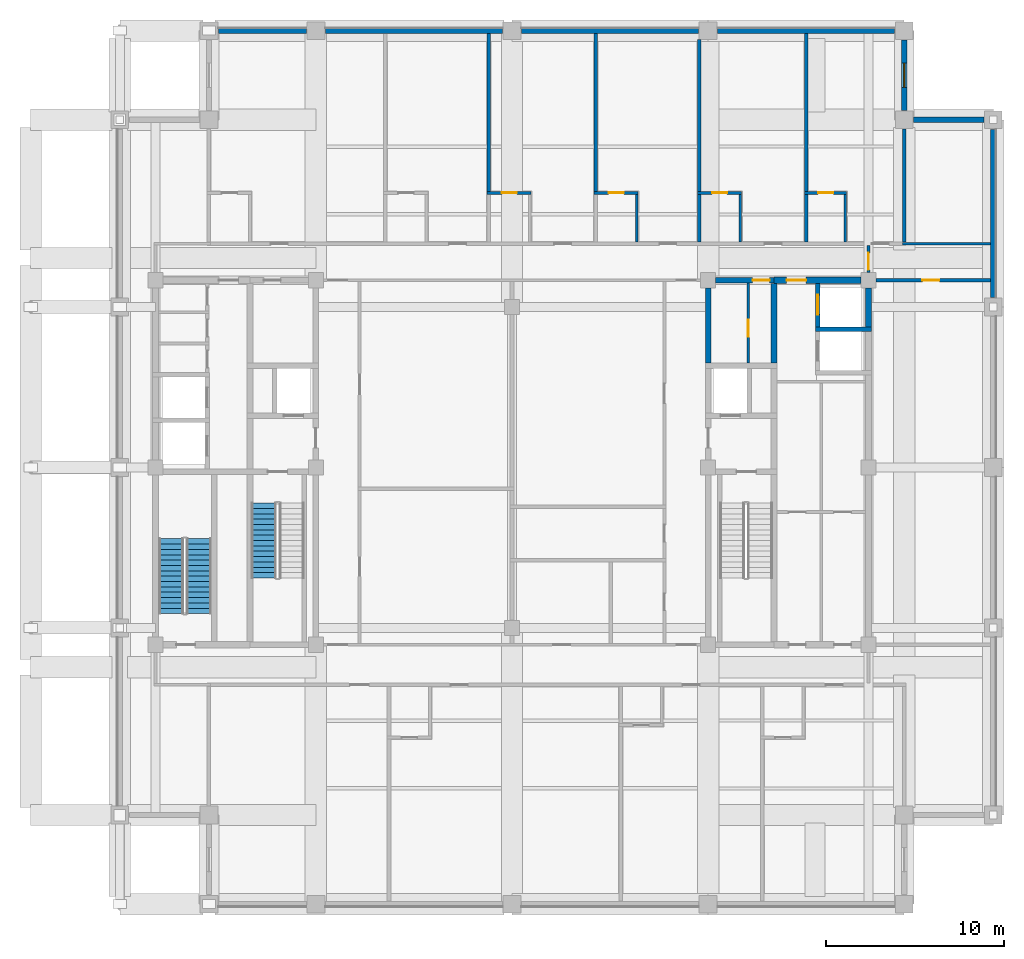
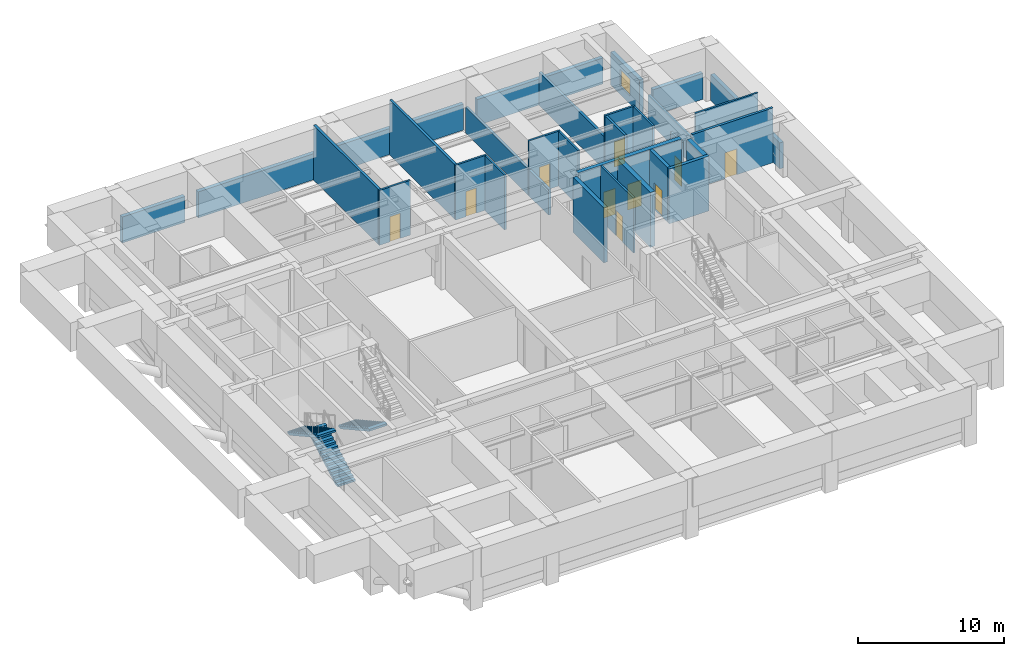
# One storey, part 6 of 11: 32 walls, 10 doors, 3 stair flights, 1 window, 11 openings, 2 elements without a shape of their own.
"""IFC4 building model written with IfcOpenShell, lengths in metres."""

import ifcopenshell
import ifcopenshell.guid

model = None  # the IFC model being written
_history = None  # IfcOwnerHistory: only IFC2X3 demands one
_inside = {}  # id of a spatial element -> (the spatial element, [elements in it])
_under = {}  # id of a project, library or spatial element -> (it, [spatial elements below it])
_declared = {}  # id of a project -> (the project, [libraries it declares])
_typed = {}  # id of a type object -> (the type object, [elements of that type])
_made_of = {}  # id of a material, layer set ... -> (it, [elements and type objects made of it])


def new_model(schema):
    """Start an empty IFC model of exactly this schema.

    Asked for "IFC4X3", IfcOpenShell would pick the latest addendum, in which some entities
    have other attributes; the version numbers below select the first issue.
    IFC2X3 requires an IfcOwnerHistory on every rooted entity: one is made here for all.
    """
    global model, _history
    if schema == "IFC4X3":
        model = ifcopenshell.file(schema_version=(4, 3, 0, 0))
    else:
        model = ifcopenshell.file(schema=schema)
    _inside.clear()
    _under.clear()
    _declared.clear()
    _typed.clear()
    _made_of.clear()
    _history = None
    if model.schema == "IFC2X3":
        org = make("IfcOrganization", Name="unknown")
        user = make(
            "IfcPersonAndOrganization",
            ThePerson=make("IfcPerson", FamilyName="unknown"),
            TheOrganization=org,
        )
        app = make(
            "IfcApplication",
            ApplicationDeveloper=org,
            Version="unknown",
            ApplicationFullName="unknown",
            ApplicationIdentifier="unknown",
        )
        _history = make(
            "IfcOwnerHistory",
            OwningUser=user,
            OwningApplication=app,
            ChangeAction="ADDED",
            CreationDate=0,
        )
    return model


def make(cls, **values):
    """One entity of the class cls with the attributes given. An attribute that is None is left unset."""
    return model.create_entity(
        cls, **{name: value for name, value in values.items() if value is not None}
    )


def rooted(cls, **values):
    """An entity with a GlobalId (a new one), such as an element, a storey or a relation."""
    return make(cls, GlobalId=ifcopenshell.guid.new(), OwnerHistory=_history, **values)


def si_unit(unit_type, name, prefix=None):
    """IfcSIUnit, for example si_unit("LENGTHUNIT", "METRE", prefix="MILLI")."""
    return make("IfcSIUnit", UnitType=unit_type, Prefix=prefix, Name=name)


def assignment(units):
    """IfcUnitAssignment: the units of a project."""
    return None if units is None else make("IfcUnitAssignment", Units=units)


def point(xyz):
    """IfcCartesianPoint."""
    return None if xyz is None else make("IfcCartesianPoint", Coordinates=xyz)


def direction(xyz):
    """IfcDirection."""
    return None if xyz is None else make("IfcDirection", DirectionRatios=xyz)


def frame(location, z_axis=None, x_axis=None):
    """IfcAxis2Placement3D, a coordinate frame: its origin and axes. An axis left out is left unset."""
    return make(
        "IfcAxis2Placement3D",
        Location=point(location),
        Axis=direction(z_axis),
        RefDirection=direction(x_axis),
    )


def frame_2d(location, x_axis=None):
    """IfcAxis2Placement2D, a coordinate frame in the plane: its origin and x axis."""
    return make(
        "IfcAxis2Placement2D", Location=point(location), RefDirection=direction(x_axis)
    )


def origin():
    """The frame at (0, 0, 0) with its axes left unset."""
    return frame((0.0, 0.0, 0.0))


def place(relative_to, where):
    """IfcLocalPlacement: puts the frame where relative to a parent placement (None: the world)."""
    return make(
        "IfcLocalPlacement", PlacementRelTo=relative_to, RelativePlacement=where
    )


def context(
    kind, dimensions, precision=None, world=None, true_north=None, identifier=None
):
    """IfcGeometricRepresentationContext, for example the 3D "Model" context."""
    return make(
        "IfcGeometricRepresentationContext",
        ContextIdentifier=identifier,
        ContextType=kind,
        CoordinateSpaceDimension=dimensions,
        Precision=precision,
        WorldCoordinateSystem=world,
        TrueNorth=true_north,
    )


def subcontext(parent, identifier, kind, view, scale=None):
    """IfcGeometricRepresentationSubContext, for example "Body" below "Model"."""
    return make(
        "IfcGeometricRepresentationSubContext",
        ContextIdentifier=identifier,
        ContextType=kind,
        ParentContext=parent,
        TargetScale=scale,
        TargetView=view,
    )


def project(units=None, contexts=None):
    """IfcProject with its units and contexts."""
    return rooted(
        "IfcProject",
        Name="project",
        RepresentationContexts=contexts,
        UnitsInContext=assignment(units),
    )


def spatial(cls, under=None, at=None, **own):
    """A site, building, storey or space (cls), placed at a placement, below another one or the project."""
    s = rooted(cls, ObjectPlacement=at, **own)
    if under is not None:
        _under.setdefault(under.id(), (under, []))[1].append(s)
    return s


def polyline(points):
    """IfcPolyline through the points."""
    return make("IfcPolyline", Points=[point(p) for p in points])


def profile(cls, at=None, kind="AREA", **sizes):
    """A parametric profile (cls). Its sizes go by their IFC names, for example OverallWidth=200.0."""
    return make(cls, ProfileType=kind, Position=at, **sizes)


def rectangle(**sizes):
    """IfcRectangleProfileDef."""
    return profile("IfcRectangleProfileDef", **sizes)


def outline(outer, holes=None, kind="AREA"):
    """IfcArbitraryClosedProfileDef: a profile drawn as a closed curve; with holes, ...WithVoids."""
    if holes is None:
        return make("IfcArbitraryClosedProfileDef", ProfileType=kind, OuterCurve=outer)
    return make(
        "IfcArbitraryProfileDefWithVoids",
        ProfileType=kind,
        OuterCurve=outer,
        InnerCurves=holes,
    )


def extrude(swept, where, along, depth):
    """IfcExtrudedAreaSolid: the profile swept, set in the frame where, extruded along a direction by depth."""
    return make(
        "IfcExtrudedAreaSolid",
        SweptArea=swept,
        Position=where,
        ExtrudedDirection=direction(along),
        Depth=depth,
    )


def shape(context_of_items, identifier, shape_type, items):
    """IfcShapeRepresentation: the items that make up one representation, for example the "Body"."""
    return make(
        "IfcShapeRepresentation",
        ContextOfItems=context_of_items,
        RepresentationIdentifier=identifier,
        RepresentationType=shape_type,
        Items=items,
    )


def material(Name=None, Category=None):
    """IfcMaterial."""
    return make("IfcMaterial", Name=Name, Category=Category)


def layer(
    of_material, thickness, ventilated=None, Name=None, Category=None, Priority=None
):
    """IfcMaterialLayer: one layer of a wall or slab, of a material (None: an air gap)."""
    return make(
        "IfcMaterialLayer",
        Material=of_material,
        LayerThickness=thickness,
        IsVentilated=ventilated,
        Name=Name,
        Category=Category,
        Priority=Priority,
    )


def layer_set(layers, Name=None):
    """IfcMaterialLayerSet."""
    return make("IfcMaterialLayerSet", MaterialLayers=layers, LayerSetName=Name)


def made_of(thing, what):
    """Note that an element or type object is made of a material, layer set ...; save() writes the relation."""
    if what is not None:
        _made_of.setdefault(what.id(), (what, []))[1].append(thing)
    return thing


def type_object(cls, material=None, **own):
    """A type object (cls), such as IfcWallType, which elements share."""
    return made_of(rooted(cls, **own), material)


def element(
    cls,
    number,
    at=None,
    inside=None,
    cuts=None,
    type_object=None,
    material=None,
    context=None,
    identifier="Body",
    shape_type=None,
    held_by="IfcProductDefinitionShape",
    body=None,
    shapes=None,
    **own,
):
    """One element of the class cls, such as IfcWall. Its Tag is "e" and its number.

    at: its placement. inside: the storey or other place that contains it. cuts: it is an
    opening in that element (IfcRelVoidsElement). A single representation is given by context,
    identifier, shape_type and body (its items); several are given by shapes. held_by: the class
    of the entity that holds the representations. save() writes the other relations.
    """
    e = rooted(cls, Tag="e%d" % number, ObjectPlacement=at, **own)
    if body is not None:
        shapes = [shape(context, identifier, shape_type, body)]
    if shapes is not None:
        e.Representation = make(held_by, Representations=shapes)
    if inside is not None:
        _inside.setdefault(inside.id(), (inside, []))[1].append(e)
    if cuts is not None:
        rooted(
            "IfcRelVoidsElement", RelatingBuildingElement=cuts, RelatedOpeningElement=e
        )
    if type_object is not None:
        _typed.setdefault(type_object.id(), (type_object, []))[1].append(e)
    return made_of(e, material)


def fill(opening, filler):
    """IfcRelFillsElement: the door or window that sits in an opening."""
    return rooted(
        "IfcRelFillsElement",
        RelatingOpeningElement=opening,
        RelatedBuildingElement=filler,
    )


def aggregate(whole, parts):
    """IfcRelAggregates: a whole, such as a stair, and the parts it consists of."""
    return rooted("IfcRelAggregates", RelatingObject=whole, RelatedObjects=parts)


def save(model, path):
    """Write the relations noted so far, then the file.

    IfcRelAggregates (storeys below a building ...), IfcRelContainedInSpatialStructure (elements
    in a storey), IfcRelDefinesByType, IfcRelAssociatesMaterial and IfcRelDeclares: one each for
    every whole, place, type object, material and project.
    """
    for whole, parts in _under.values():
        aggregate(whole, parts)
    for where, things in _inside.values():
        rooted(
            "IfcRelContainedInSpatialStructure",
            RelatedElements=things,
            RelatingStructure=where,
        )
    for kind, things in _typed.values():
        rooted("IfcRelDefinesByType", RelatedObjects=things, RelatingType=kind)
    for what, things in _made_of.values():
        rooted("IfcRelAssociatesMaterial", RelatedObjects=things, RelatingMaterial=what)
    for by, libraries in _declared.values():
        rooted("IfcRelDeclares", RelatingContext=by, RelatedDefinitions=libraries)
    model.write(path)


model = new_model("IFC4")

# Units and contexts
model_context = context("Model", 3, precision=1e-05, world=origin(), true_north=direction((0.0, 1.0)))
body_context = subcontext(model_context, "Body", "Model", "MODEL_VIEW")
ifc_project = project(units=[si_unit("LENGTHUNIT", "METRE"), si_unit("AREAUNIT", "SQUARE_METRE"), si_unit("VOLUMEUNIT", "CUBIC_METRE"), si_unit("PLANEANGLEUNIT", "RADIAN"), si_unit("MASSUNIT", "GRAM", prefix="KILO")], contexts=[model_context])

# Site, building, storey
site_placement = place(None, origin())
site = spatial("IfcSite", under=ifc_project, at=site_placement, CompositionType="ELEMENT")
building_placement = place(site_placement, origin())
building = spatial("IfcBuilding", under=site, at=building_placement, Name="Zulmaris Gate Convention Tower", CompositionType="ELEMENT")
storey_placement = place(building_placement, frame((0.0, 0.0, 186.4599609375)))
storey = spatial("IfcBuildingStorey", under=building, at=storey_placement, Name="L48", CompositionType="ELEMENT", Elevation=186.4599609375)

# Wall
ifc_material_1 = material(Name="Concrete C50/60", Category="concrete")
ifc_layer_1 = layer(ifc_material_1, 0.25, Name="Concrete C50/60")
ifc_layer_set_1 = layer_set([ifc_layer_1], Name="Concrete C50/60")
wall_type_1 = type_object("IfcWallType", Name="CORE-250", PredefinedType="SOLIDWALL", material=ifc_layer_set_1)
wall_1_placement = place(storey_placement, frame((17.02490234375, 7.75, 0.0), z_axis=(0.0, 0.0, 1.0), x_axis=(1.0, 0.0, 0.0)))
element("IfcWall", 1, at=wall_1_placement, inside=storey, type_object=wall_type_1, Name="WL-L48-014", PredefinedType="SOLIDWALL", context=body_context, shape_type="SweptSolid", body=[
    extrude(rectangle(XDim=3.150146484375, YDim=0.25, at=frame_2d((1.5751953125, 0.0))), origin(), (0.0, 0.0, 1.0), 4.574951171875),
])

# Wall, opening, door
wall_2_placement = place(storey_placement, frame((17.14990234375, 7.876953125, 0.0), z_axis=(0.0, 0.0, 1.0), x_axis=(0.0, 1.0, 0.0)))
wall_2 = element("IfcWall", 2, at=wall_2_placement, inside=storey, type_object=wall_type_1, Name="WL-L48-072", PredefinedType="SOLIDWALL", context=body_context, shape_type="SweptSolid", body=[
    extrude(rectangle(XDim=2.446044921875, YDim=0.25, at=frame_2d((1.22314453125, 0.0))), origin(), (0.0, 0.0, 1.0), 4.574951171875),
])
opening_1_placement = place(wall_2_placement, frame((0.697998046875, 0.0, 0.0)))
opening_1 = element("IfcOpeningElement", 3, at=opening_1_placement, cuts=wall_2, Name="Opening D-06", PredefinedType="OPENING", context=body_context, shape_type="SweptSolid", body=[
    extrude(rectangle(XDim=1.10009765625, YDim=2.199951171875, at=frame_2d((0.550048828125, 1.10009765625))), frame((0.0, 0.135009765625, 0.0), z_axis=(0.0, -1.0, 0.0), x_axis=(1.0, 0.0, 0.0)), (0.0, 0.0, 1.0), 0.27001953125),
])
ifc_material_2 = material(Name="Brushed Stainless Steel", Category="steel")
door_type_1 = type_object("IfcDoorType", Name="LD-1100", OperationType="NOTDEFINED", PredefinedType="DOOR", material=ifc_material_2)
door_1_placement = place(opening_1_placement, origin())
door_1 = element("IfcDoor", 4, at=door_1_placement, inside=storey, type_object=door_type_1, Name="L48 Lift Landing Door HP-02 18", OperationType="SLIDING_TO_RIGHT", OverallHeight=2.199951171875, OverallWidth=1.10009765625, PredefinedType="DOOR", context=body_context, shape_type="SweptSolid", body=[
    extrude(rectangle(XDim=1.10009765625, YDim=2.199951171875, at=frame_2d((0.550048828125, 1.10009765625))), frame((0.0, 0.02490234375, 0.0), z_axis=(0.0, -1.0, 0.0), x_axis=(1.0, 0.0, 0.0)), (0.0, 0.0, 1.0), 0.050048828125),
])
fill(opening_1, door_1)

ifc_layer_2 = layer(ifc_material_1, 0.300048828125, Name="Concrete C50/60")
ifc_layer_set_2 = layer_set([ifc_layer_2], Name="Concrete C50/60")
wall_type_2 = type_object("IfcWallType", Name="CORE-300", PredefinedType="SHEAR", material=ifc_layer_set_2)
wall_3_placement = place(storey_placement, frame((11.428955078125, 10.5, 0.0), z_axis=(0.0, 0.0, 1.0), x_axis=(1.0, 0.0, 0.0)))
wall_3 = element("IfcWall", 5, at=wall_3_placement, inside=storey, type_object=wall_type_2, Name="WL-L48-017", PredefinedType="SHEAR", context=body_context, shape_type="SweptSolid", body=[
    extrude(rectangle(XDim=3.27099609375, YDim=0.300048828125, at=frame_2d((1.635498046875, 0.0))), origin(), (0.0, 0.0, 1.0), 4.574951171875),
])
opening_2_placement = place(wall_3_placement, frame((2.075927734375, 0.0, 0.0)))
opening_2 = element("IfcOpeningElement", 6, at=opening_2_placement, cuts=wall_3, Name="Opening D-11", PredefinedType="OPENING", context=body_context, shape_type="SweptSolid", body=[
    extrude(rectangle(XDim=0.949951171875, YDim=2.14990234375, at=frame_2d((0.47509765625, 1.074951171875))), frame((0.0, 0.16015625, 0.0), z_axis=(0.0, -1.0, 0.0), x_axis=(1.0, 0.0, 0.0)), (0.0, 0.0, 1.0), 0.320068359375),
])
ifc_material_3 = material(Name="Fire-Rated Timber", Category="wood")
door_type_2 = type_object("IfcDoorType", Name="DR-950-FD", OperationType="NOTDEFINED", PredefinedType="DOOR", material=ifc_material_3)
door_2_placement = place(opening_2_placement, origin())
door_2 = element("IfcDoor", 7, at=door_2_placement, inside=storey, type_object=door_type_2, Name="L48 Core Linen Closet Door 08", OperationType="SINGLE_SWING_RIGHT", OverallHeight=2.14990234375, OverallWidth=0.949951171875, PredefinedType="DOOR", context=body_context, shape_type="SweptSolid", body=[
    extrude(rectangle(XDim=0.949951171875, YDim=2.14990234375, at=frame_2d((0.47509765625, 1.074951171875))), frame((0.0, 0.02490234375, 0.0), z_axis=(0.0, -1.0, 0.0), x_axis=(1.0, 0.0, 0.0)), (0.0, 0.0, 1.0), 0.050048828125),
])
fill(opening_2, door_2)

# Wall
wall_4_placement = place(storey_placement, frame((11.0, 5.85205078125, 0.0), z_axis=(0.0, 0.0, 1.0), x_axis=(0.0, 1.0, 0.0)))
element("IfcWall", 8, at=wall_4_placement, inside=storey, type_object=wall_type_2, Name="WL-L48-064", PredefinedType="SHEAR", context=body_context, shape_type="SweptSolid", body=[
    extrude(rectangle(XDim=4.218994140625, YDim=0.300048828125, at=frame_2d((2.109375, 0.0))), origin(), (0.0, 0.0, 1.0), 4.574951171875),
])

# Wall, opening, door
ifc_material_4 = material(Name="Concrete C55/67", Category="concrete")
ifc_layer_3 = layer(ifc_material_4, 0.35009765625, Name="Concrete C55/67")
ifc_layer_set_3 = layer_set([ifc_layer_3], Name="Concrete C55/67")
wall_type_3 = type_object("IfcWallType", Name="CORE-350", PredefinedType="SHEAR", material=ifc_layer_set_3)
wall_5_placement = place(storey_placement, frame((14.699951171875, 10.5, 0.0), z_axis=(0.0, 0.0, 1.0), x_axis=(1.0, 0.0, 0.0)))
wall_5 = element("IfcWall", 9, at=wall_5_placement, inside=storey, type_object=wall_type_3, Name="WL-L48-018", PredefinedType="SHEAR", context=body_context, shape_type="SweptSolid", body=[
    extrude(rectangle(XDim=4.87109375, YDim=0.35009765625, at=frame_2d((2.435546875, 0.0))), origin(), (0.0, 0.0, 1.0), 4.574951171875),
])
opening_3_placement = place(wall_5_placement, frame((0.699951171875, 0.0, 0.0)))
opening_3 = element("IfcOpeningElement", 10, at=opening_3_placement, cuts=wall_5, Name="Opening D-08", PredefinedType="OPENING", context=body_context, shape_type="SweptSolid", body=[
    extrude(rectangle(XDim=1.10009765625, YDim=2.14990234375, at=frame_2d((0.550048828125, 1.074951171875))), frame((0.0, 0.18505859375, 0.0), z_axis=(0.0, -1.0, 0.0), x_axis=(1.0, 0.0, 0.0)), (0.0, 0.0, 1.0), 0.3701171875),
])
ifc_material_5 = material(Name="Fire-Rated Steel", Category="steel")
door_type_3 = type_object("IfcDoorType", Name="DR-1100-FD", OperationType="NOTDEFINED", PredefinedType="DOOR", material=ifc_material_5)
door_3_placement = place(opening_3_placement, origin())
door_3 = element("IfcDoor", 11, at=door_3_placement, inside=storey, type_object=door_type_3, Name="L48 High-Rise East Lift Lobby Door 19", OperationType="SINGLE_SWING_LEFT", OverallHeight=2.14990234375, OverallWidth=1.10009765625, PredefinedType="DOOR", context=body_context, shape_type="SweptSolid", body=[
    extrude(rectangle(XDim=1.10009765625, YDim=2.14990234375, at=frame_2d((0.550048828125, 1.074951171875))), frame((0.0, 0.02490234375, 0.0), z_axis=(0.0, -1.0, 0.0), x_axis=(1.0, 0.0, 0.0)), (0.0, 0.0, 1.0), 0.050048828125),
])
fill(opening_3, door_3)

# Walls
wall_6_placement = place(storey_placement, frame((14.699951171875, 5.85205078125, 0.0), z_axis=(0.0, 0.0, 1.0), x_axis=(0.0, 1.0, 0.0)))
element("IfcWall", 12, at=wall_6_placement, inside=storey, type_object=wall_type_3, Name="WL-L48-070", PredefinedType="SHEAR", context=body_context, shape_type="SweptSolid", body=[
    extrude(rectangle(XDim=4.470947265625, YDim=0.35009765625, at=frame_2d((2.2353515625, 0.0))), origin(), (0.0, 0.0, 1.0), 4.574951171875),
])
wall_7_placement = place(storey_placement, frame((20.0, 7.876953125, 0.0), z_axis=(0.0, 0.0, 1.0), x_axis=(0.0, 1.0, 0.0)))
element("IfcWall", 13, at=wall_7_placement, inside=storey, type_object=wall_type_3, Name="WL-L48-075", PredefinedType="SHEAR", context=body_context, shape_type="SweptSolid", body=[
    extrude(rectangle(XDim=2.194091796875, YDim=0.35009765625, at=frame_2d((1.09716796875, 0.0))), origin(), (0.0, 0.0, 1.0), 4.574951171875),
])
ifc_material_6 = material(Name="Gypsum Metal Stud Partition")
ifc_layer_4 = layer(ifc_material_6, 0.14990234375, Name="Gypsum Metal Stud Partition")
ifc_layer_set_4 = layer_set([ifc_layer_4], Name="Gypsum Metal Stud Partition")
wall_type_4 = type_object("IfcWallType", Name="PART-150", PredefinedType="PARTITIONING", material=ifc_layer_set_4)
wall_8_placement = place(storey_placement, frame((21.89990234375, 12.550048828125, 0.0), z_axis=(0.0, 0.0, 1.0), x_axis=(1.0, 0.0, 0.0)))
element("IfcWall", 14, at=wall_8_placement, inside=storey, type_object=wall_type_4, Name="WL-L48-037", PredefinedType="PARTITIONING", context=body_context, shape_type="SweptSolid", body=[
    extrude(rectangle(XDim=4.93505859375, YDim=0.14990234375, at=frame_2d((2.467529296875, 0.0))), origin(), (0.0, 0.0, 1.0), 4.574951171875),
])

# Wall, opening, door
wall_9_placement = place(storey_placement, frame((-1.39990234375, 15.39990234375, 0.0), z_axis=(0.0, 0.0, 1.0), x_axis=(1.0, 0.0, 0.0)))
wall_9 = element("IfcWall", 15, at=wall_9_placement, inside=storey, type_object=wall_type_4, Name="WL-L48-040", PredefinedType="PARTITIONING", context=body_context, shape_type="SweptSolid", body=[
    extrude(rectangle(XDim=2.474853515625, YDim=0.14990234375, at=frame_2d((1.2373046875, 0.0))), origin(), (0.0, 0.0, 1.0), 4.574951171875),
])
opening_4_placement = place(wall_9_placement, frame((0.824951171875, 0.0, 0.0)))
opening_4 = element("IfcOpeningElement", 16, at=opening_4_placement, cuts=wall_9, Name="Opening D-17", PredefinedType="OPENING", context=body_context, shape_type="SweptSolid", body=[
    extrude(rectangle(XDim=0.85009765625, YDim=2.10009765625, at=frame_2d((0.425048828125, 1.050048828125))), frame((0.0, 0.0849609375, 0.0), z_axis=(0.0, -1.0, 0.0), x_axis=(1.0, 0.0, 0.0)), (0.0, 0.0, 1.0), 0.169921875),
])
ifc_material_7 = material(Name="Moisture-Resistant Hardwood Timber", Category="wood")
door_type_4 = type_object("IfcDoorType", Name="DR-850", OperationType="NOTDEFINED", PredefinedType="DOOR", material=ifc_material_7)
door_4_placement = place(opening_4_placement, origin())
door_4 = element("IfcDoor", 17, at=door_4_placement, inside=storey, type_object=door_type_4, Name="L48 En-Suite Door 33", OperationType="SINGLE_SWING_LEFT", OverallHeight=2.10009765625, OverallWidth=0.85009765625, PredefinedType="DOOR", context=body_context, shape_type="SweptSolid", body=[
    extrude(rectangle(XDim=0.85009765625, YDim=2.10009765625, at=frame_2d((0.425048828125, 1.050048828125))), frame((0.0, 0.02490234375, 0.0), z_axis=(0.0, -1.0, 0.0), x_axis=(1.0, 0.0, 0.0)), (0.0, 0.0, 1.0), 0.050048828125),
])
fill(opening_4, door_4)

wall_10_placement = place(storey_placement, frame((4.60009765625, 15.39990234375, 0.0), z_axis=(0.0, 0.0, 1.0), x_axis=(1.0, 0.0, 0.0)))
wall_10 = element("IfcWall", 18, at=wall_10_placement, inside=storey, type_object=wall_type_4, Name="WL-L48-041", PredefinedType="PARTITIONING", context=body_context, shape_type="SweptSolid", body=[
    extrude(rectangle(XDim=2.474853515625, YDim=0.14990234375, at=frame_2d((1.2373046875, 0.0))), origin(), (0.0, 0.0, 1.0), 4.574951171875),
])
opening_5_placement = place(wall_10_placement, frame((0.824951171875, 0.0, 0.0)))
opening_5 = element("IfcOpeningElement", 19, at=opening_5_placement, cuts=wall_10, Name="Opening D-17", PredefinedType="OPENING", context=body_context, shape_type="SweptSolid", body=[
    extrude(rectangle(XDim=0.85009765625, YDim=2.10009765625, at=frame_2d((0.425048828125, 1.050048828125))), frame((0.0, 0.0849609375, 0.0), z_axis=(0.0, -1.0, 0.0), x_axis=(1.0, 0.0, 0.0)), (0.0, 0.0, 1.0), 0.169921875),
])
door_5_placement = place(opening_5_placement, origin())
door_5 = element("IfcDoor", 20, at=door_5_placement, inside=storey, type_object=door_type_4, Name="L48 En-Suite Door 35", OperationType="SINGLE_SWING_LEFT", OverallHeight=2.10009765625, OverallWidth=0.85009765625, PredefinedType="DOOR", context=body_context, shape_type="SweptSolid", body=[
    extrude(rectangle(XDim=0.85009765625, YDim=2.10009765625, at=frame_2d((0.425048828125, 1.050048828125))), frame((0.0, 0.02490234375, 0.0), z_axis=(0.0, -1.0, 0.0), x_axis=(1.0, 0.0, 0.0)), (0.0, 0.0, 1.0), 0.050048828125),
])
fill(opening_5, door_5)

wall_11_placement = place(storey_placement, frame((10.39990234375, 15.39990234375, 0.0), z_axis=(0.0, 0.0, 1.0), x_axis=(1.0, 0.0, 0.0)))
wall_11 = element("IfcWall", 21, at=wall_11_placement, inside=storey, type_object=wall_type_4, Name="WL-L48-042", PredefinedType="PARTITIONING", context=body_context, shape_type="SweptSolid", body=[
    extrude(rectangle(XDim=2.47509765625, YDim=0.14990234375, at=frame_2d((1.237548828125, 0.0))), origin(), (0.0, 0.0, 1.0), 4.574951171875),
])
opening_6_placement = place(wall_11_placement, frame((0.824951171875, 0.0, 0.0)))
opening_6 = element("IfcOpeningElement", 22, at=opening_6_placement, cuts=wall_11, Name="Opening D-17", PredefinedType="OPENING", context=body_context, shape_type="SweptSolid", body=[
    extrude(rectangle(XDim=0.85009765625, YDim=2.10009765625, at=frame_2d((0.425048828125, 1.050048828125))), frame((0.0, 0.0849609375, 0.0), z_axis=(0.0, -1.0, 0.0), x_axis=(1.0, 0.0, 0.0)), (0.0, 0.0, 1.0), 0.169921875),
])
door_6_placement = place(opening_6_placement, origin())
door_6 = element("IfcDoor", 23, at=door_6_placement, inside=storey, type_object=door_type_4, Name="L48 En-Suite Door 37", OperationType="SINGLE_SWING_LEFT", OverallHeight=2.10009765625, OverallWidth=0.85009765625, PredefinedType="DOOR", context=body_context, shape_type="SweptSolid", body=[
    extrude(rectangle(XDim=0.85009765625, YDim=2.10009765625, at=frame_2d((0.425048828125, 1.050048828125))), frame((0.0, 0.02490234375, 0.0), z_axis=(0.0, -1.0, 0.0), x_axis=(1.0, 0.0, 0.0)), (0.0, 0.0, 1.0), 0.050048828125),
])
fill(opening_6, door_6)

wall_12_placement = place(storey_placement, frame((16.39990234375, 15.39990234375, 0.0), z_axis=(0.0, 0.0, 1.0), x_axis=(1.0, 0.0, 0.0)))
wall_12 = element("IfcWall", 24, at=wall_12_placement, inside=storey, type_object=wall_type_4, Name="WL-L48-043", PredefinedType="PARTITIONING", context=body_context, shape_type="SweptSolid", body=[
    extrude(rectangle(XDim=2.375, YDim=0.14990234375, at=frame_2d((1.1875, 0.0))), origin(), (0.0, 0.0, 1.0), 4.574951171875),
])
opening_7_placement = place(wall_12_placement, frame((0.77490234375, 0.0, 0.0)))
opening_7 = element("IfcOpeningElement", 25, at=opening_7_placement, cuts=wall_12, Name="Opening D-17", PredefinedType="OPENING", context=body_context, shape_type="SweptSolid", body=[
    extrude(rectangle(XDim=0.85009765625, YDim=2.10009765625, at=frame_2d((0.425048828125, 1.050048828125))), frame((0.0, 0.0849609375, 0.0), z_axis=(0.0, -1.0, 0.0), x_axis=(1.0, 0.0, 0.0)), (0.0, 0.0, 1.0), 0.169921875),
])
door_7_placement = place(opening_7_placement, origin())
door_7 = element("IfcDoor", 26, at=door_7_placement, inside=storey, type_object=door_type_4, Name="L48 En-Suite Door 39", OperationType="SINGLE_SWING_LEFT", OverallHeight=2.10009765625, OverallWidth=0.85009765625, PredefinedType="DOOR", context=body_context, shape_type="SweptSolid", body=[
    extrude(rectangle(XDim=0.85009765625, YDim=2.10009765625, at=frame_2d((0.425048828125, 1.050048828125))), frame((0.0, 0.02490234375, 0.0), z_axis=(0.0, -1.0, 0.0), x_axis=(1.0, 0.0, 0.0)), (0.0, 0.0, 1.0), 0.050048828125),
])
fill(opening_7, door_7)

# Walls
for number, where, z_axis, x_axis, name in (
    (27, (7.0, 12.653076171875, 0.0), (0.0, 0.0, 1.0), (0.0, 1.0, 0.0), "WL-L48-105"),
    (28, (12.800048828125, 12.653076171875, 0.0), (0.0, 0.0, 1.0), (0.0, 1.0, 0.0), "WL-L48-112"),
):
    element("IfcWall", number, at=place(storey_placement, frame(where, z_axis=z_axis, x_axis=x_axis)), inside=storey, type_object=wall_type_4, Name=name, PredefinedType="PARTITIONING", context=body_context, shape_type="SweptSolid", body=[
        extrude(rectangle(XDim=2.6689453125, YDim=0.14990234375, at=frame_2d((1.33447265625, 0.0))), origin(), (0.0, 0.0, 1.0), 4.574951171875),
    ])

# Wall, opening, door
wall_13_placement = place(storey_placement, frame((13.25, 5.85302734375, 0.0), z_axis=(0.0, 0.0, 1.0), x_axis=(0.0, 1.0, 0.0)))
wall_13 = element("IfcWall", 29, at=wall_13_placement, inside=storey, type_object=wall_type_4, Name="WL-L48-113", PredefinedType="PARTITIONING", context=body_context, shape_type="SweptSolid", body=[
    extrude(rectangle(XDim=4.493896484375, YDim=0.14990234375, at=frame_2d((2.2470703125, 0.0))), origin(), (0.0, 0.0, 1.0), 4.574951171875),
])
opening_8_placement = place(wall_13_placement, frame((1.471923828125, 0.0, 0.0)))
opening_8 = element("IfcOpeningElement", 30, at=opening_8_placement, cuts=wall_13, Name="Opening D-11", PredefinedType="OPENING", context=body_context, shape_type="SweptSolid", body=[
    extrude(rectangle(XDim=0.949951171875, YDim=2.14990234375, at=frame_2d((0.47509765625, 1.074951171875))), frame((0.0, 0.0849609375, 0.0), z_axis=(0.0, -1.0, 0.0), x_axis=(1.0, 0.0, 0.0)), (0.0, 0.0, 1.0), 0.169921875),
])
door_8_placement = place(opening_8_placement, origin())
door_8 = element("IfcDoor", 31, at=door_8_placement, inside=storey, type_object=door_type_2, Name="L48 Core Service Pantry Door 09", OperationType="SINGLE_SWING_LEFT", OverallHeight=2.14990234375, OverallWidth=0.949951171875, PredefinedType="DOOR", context=body_context, shape_type="SweptSolid", body=[
    extrude(rectangle(XDim=0.949951171875, YDim=2.14990234375, at=frame_2d((0.47509765625, 1.074951171875))), frame((0.0, 0.02490234375, 0.0), z_axis=(0.0, -1.0, 0.0), x_axis=(1.0, 0.0, 0.0)), (0.0, 0.0, 1.0), 0.050048828125),
])
fill(opening_8, door_8)

# Wall
wall_14_placement = place(storey_placement, frame((18.699951171875, 12.653076171875, 0.0), z_axis=(0.0, 0.0, 1.0), x_axis=(0.0, 1.0, 0.0)))
element("IfcWall", 32, at=wall_14_placement, inside=storey, type_object=wall_type_4, Name="WL-L48-121", PredefinedType="PARTITIONING", context=body_context, shape_type="SweptSolid", body=[
    extrude(rectangle(XDim=2.6689453125, YDim=0.14990234375, at=frame_2d((1.33447265625, 0.0))), origin(), (0.0, 0.0, 1.0), 4.574951171875),
])

# Wall, opening, door
wall_15_placement = place(storey_placement, frame((20.0, 10.930908203125, 0.0), z_axis=(0.0, 0.0, 1.0), x_axis=(0.0, 1.0, 0.0)))
wall_15 = element("IfcWall", 33, at=wall_15_placement, inside=storey, type_object=wall_type_4, Name="WL-L48-123", PredefinedType="PARTITIONING", context=body_context, shape_type="SweptSolid", body=[
    extrude(rectangle(XDim=1.51611328125, YDim=0.14990234375, at=frame_2d((0.758056640625, 0.0))), origin(), (0.0, 0.0, 1.0), 3.76708984375),
])
opening_9_placement = place(wall_15_placement, frame((0.14990234375, 0.0, 0.0)))
opening_9 = element("IfcOpeningElement", 34, at=opening_9_placement, cuts=wall_15, Name="Opening D-25", PredefinedType="OPENING", context=body_context, shape_type="SweptSolid", body=[
    extrude(rectangle(XDim=0.949951171875, YDim=2.02001953125, at=frame_2d((0.47509765625, 1.010009765625))), frame((0.0, 0.0849609375, 0.0), z_axis=(0.0, -1.0, 0.0), x_axis=(1.0, 0.0, 0.0)), (0.0, 0.0, 1.0), 0.169921875),
])
door_type_5 = type_object("IfcDoorType", Name="DR-950-LOW-FD", OperationType="NOTDEFINED", PredefinedType="DOOR", material=ifc_material_5)
door_9_placement = place(opening_9_placement, origin())
door_9 = element("IfcDoor", 35, at=door_9_placement, inside=storey, type_object=door_type_5, Name="L48 East Spur Door 53", OperationType="SINGLE_SWING_LEFT", OverallHeight=2.02001953125, OverallWidth=0.949951171875, PredefinedType="DOOR", context=body_context, shape_type="SweptSolid", body=[
    extrude(rectangle(XDim=0.949951171875, YDim=2.02001953125, at=frame_2d((0.47509765625, 1.010009765625))), frame((0.0, 0.02490234375, 0.0), z_axis=(0.0, -1.0, 0.0), x_axis=(1.0, 0.0, 0.0)), (0.0, 0.0, 1.0), 0.050048828125),
])
fill(opening_9, door_9)

ifc_material_8 = material(Name="Autoclaved Aerated Concrete Block and Plasterboard", Category="concrete")
ifc_layer_5 = layer(ifc_material_8, 0.199951171875, Name="Autoclaved Aerated Concrete Block and Plasterboard")
ifc_layer_set_5 = layer_set([ifc_layer_5], Name="Autoclaved Aerated Concrete Block and Plasterboard")
wall_type_5 = type_object("IfcWallType", Name="PART-200", PredefinedType="PARTITIONING", material=ifc_layer_set_5)
wall_16_placement = place(storey_placement, frame((20.430908203125, 10.5, 0.0), z_axis=(0.0, 0.0, 1.0), x_axis=(1.0, 0.0, 0.0)))
wall_16 = element("IfcWall", 36, at=wall_16_placement, inside=storey, type_object=wall_type_5, Name="WL-L48-034", PredefinedType="PARTITIONING", context=body_context, shape_type="SweptSolid", body=[
    extrude(rectangle(XDim=6.404052734375, YDim=0.199951171875, at=frame_2d((3.2021484375, 0.0))), origin(), (0.0, 0.0, 1.0), 4.574951171875),
])
opening_10_placement = place(wall_16_placement, frame((2.593994140625, 0.0, 0.0)))
opening_10 = element("IfcOpeningElement", 37, at=opening_10_placement, cuts=wall_16, Name="Opening D-11", PredefinedType="OPENING", context=body_context, shape_type="SweptSolid", body=[
    extrude(rectangle(XDim=0.949951171875, YDim=2.14990234375, at=frame_2d((0.47509765625, 1.074951171875))), frame((0.0, 0.10986328125, 0.0), z_axis=(0.0, -1.0, 0.0), x_axis=(1.0, 0.0, 0.0)), (0.0, 0.0, 1.0), 0.219970703125),
])
door_10_placement = place(opening_10_placement, origin())
door_10 = element("IfcDoor", 38, at=door_10_placement, inside=storey, type_object=door_type_2, Name="L48 East Lounge Door 54", OperationType="SINGLE_SWING_RIGHT", OverallHeight=2.14990234375, OverallWidth=0.949951171875, PredefinedType="DOOR", context=body_context, shape_type="SweptSolid", body=[
    extrude(rectangle(XDim=0.949951171875, YDim=2.14990234375, at=frame_2d((0.47509765625, 1.074951171875))), frame((0.0, 0.02490234375, 0.0), z_axis=(0.0, -1.0, 0.0), x_axis=(1.0, 0.0, 0.0)), (0.0, 0.0, 1.0), 0.050048828125),
])
fill(opening_10, door_10)

# Walls
for number, where, z_axis, x_axis, name in (
    (39, (-1.300048828125, 15.47802734375, 0.0), (0.0, 0.0, 1.0), (0.0, 1.0, 0.0), "WL-L48-094"),
    (40, (4.699951171875, 15.47802734375, 0.0), (0.0, 0.0, 1.0), (0.0, 1.0, 0.0), "WL-L48-101"),
):
    element("IfcWall", number, at=place(storey_placement, frame(where, z_axis=z_axis, x_axis=x_axis)), inside=storey, type_object=wall_type_5, Name=name, PredefinedType="PARTITIONING", context=body_context, shape_type="SweptSolid", body=[
        extrude(rectangle(XDim=8.85693359375, YDim=0.199951171875, at=frame_2d((4.428466796875, 0.0))), origin(), (0.0, 0.0, 1.0), 4.574951171875),
    ])
wall_17_placement = place(storey_placement, frame((10.5, 12.653076171875, 0.0), z_axis=(0.0, 0.0, 1.0), x_axis=(0.0, 1.0, 0.0)))
element("IfcWall", 41, at=wall_17_placement, inside=storey, type_object=wall_type_5, Name="WL-L48-110", PredefinedType="PARTITIONING", context=body_context, shape_type="SweptSolid", body=[
    extrude(rectangle(XDim=2.6689453125, YDim=0.199951171875, at=frame_2d((1.33447265625, 0.0))), origin(), (0.0, 0.0, 1.0), 2.1669921875),
])
wall_18_placement = place(storey_placement, frame((10.5, 15.47802734375, 0.0), z_axis=(0.0, 0.0, 1.0), x_axis=(0.0, 1.0, 0.0)))
element("IfcWall", 42, at=wall_18_placement, inside=storey, type_object=wall_type_5, Name="WL-L48-111", PredefinedType="PARTITIONING", context=body_context, shape_type="SweptSolid", body=[
    extrude(rectangle(XDim=8.515869140625, YDim=0.199951171875, at=frame_2d((4.2578125, 0.0))), origin(), (0.0, 0.0, 1.0), 2.1669921875),
])
wall_19_placement = place(storey_placement, frame((16.5, 12.653076171875, 0.0), z_axis=(0.0, 0.0, 1.0), x_axis=(0.0, 1.0, 0.0)))
element("IfcWall", 43, at=wall_19_placement, inside=storey, type_object=wall_type_5, Name="WL-L48-117", PredefinedType="PARTITIONING", context=body_context, shape_type="SweptSolid", body=[
    extrude(rectangle(XDim=2.6689453125, YDim=0.199951171875, at=frame_2d((1.33447265625, 0.0))), origin(), (0.0, 0.0, 1.0), 4.574951171875),
])
wall_20_placement = place(storey_placement, frame((16.5, 15.47802734375, 0.0), z_axis=(0.0, 0.0, 1.0), x_axis=(0.0, 1.0, 0.0)))
element("IfcWall", 44, at=wall_20_placement, inside=storey, type_object=wall_type_5, Name="WL-L48-118", PredefinedType="PARTITIONING", context=body_context, shape_type="SweptSolid", body=[
    extrude(rectangle(XDim=8.85693359375, YDim=0.199951171875, at=frame_2d((4.428466796875, 0.0))), origin(), (0.0, 0.0, 1.0), 2.76708984375),
])
wall_21_placement = place(storey_placement, frame((22.0, 12.653076171875, 0.0), z_axis=(0.0, 0.0, 1.0), x_axis=(0.0, 1.0, 0.0)))
element("IfcWall", 45, at=wall_21_placement, inside=storey, type_object=wall_type_5, Name="WL-L48-125", PredefinedType="PARTITIONING", context=body_context, shape_type="SweptSolid", body=[
    extrude(rectangle(XDim=6.3408203125, YDim=0.199951171875, at=frame_2d((3.17041015625, 0.0))), origin(), (0.0, 0.0, 1.0), 2.1669921875),
])
ifc_material_9 = material(Name="Precast concrete C40/50", Category="concrete")
ifc_layer_6 = layer(ifc_material_9, 0.300048828125, Name="Precast concrete C40/50")
ifc_layer_set_6 = layer_set([ifc_layer_6], Name="Precast concrete C40/50")
wall_type_6 = type_object("IfcWallType", Name="PRECAST-PIER-300", PredefinedType="STANDARD", material=ifc_layer_set_6)
wall_22_placement = place(storey_placement, frame((26.469970703125, 19.5, 0.0), z_axis=(0.0, 0.0, 1.0), x_axis=(-1.0, 0.0, 0.0)))
element("IfcWall", 46, at=wall_22_placement, inside=storey, type_object=wall_type_6, Name="EW-L48-NOTCH-NE1_0", PredefinedType="STANDARD", context=body_context, shape_type="SweptSolid", body=[
    extrude(rectangle(XDim=3.93994140625, YDim=0.300048828125, at=frame_2d((1.969970703125, 0.0))), origin(), (0.0, 0.0, 1.0), 2.1669921875),
])

# Wall, opening, window
wall_23_placement = place(storey_placement, frame((22.0, 20.030029296875, 0.0), z_axis=(0.0, 0.0, 1.0), x_axis=(0.0, 1.0, 0.0)))
wall_23 = element("IfcWall", 47, at=wall_23_placement, inside=storey, type_object=wall_type_6, Name="EW-L48-NOTCH-NE2_0", PredefinedType="STANDARD", context=body_context, shape_type="SweptSolid", body=[
    extrude(rectangle(XDim=3.93994140625, YDim=0.300048828125, at=frame_2d((1.969970703125, 0.0))), origin(), (0.0, 0.0, 1.0), 2.76708984375),
])
opening_11_placement = place(wall_23_placement, frame((1.294921875, 0.0, 0.679931640625)))
opening_11 = element("IfcOpeningElement", 48, at=opening_11_placement, cuts=wall_23, Name="Opening W-10", PredefinedType="OPENING", context=body_context, shape_type="SweptSolid", body=[
    extrude(rectangle(XDim=1.35009765625, YDim=1.419921875, at=frame_2d((0.675048828125, 0.7099609375))), frame((0.0, 0.16015625, 0.0), z_axis=(0.0, -1.0, 0.0), x_axis=(1.0, 0.0, 0.0)), (0.0, 0.0, 1.0), 0.320068359375),
])
ifc_material_10 = material(Name="Low-E Laminated Double Glazing in Aluminium Frame", Category="aluminium")
window_type = type_object("IfcWindowType", Name="WIN-1350x2000", PartitioningType="SINGLE_PANEL", PredefinedType="WINDOW", material=ifc_material_10)
window_placement = place(opening_11_placement, origin())
window = element("IfcWindow", 49, at=window_placement, inside=storey, type_object=window_type, Name="WN-EW-L48-NOTCH-NE2_0", OverallHeight=1.419921875, OverallWidth=1.35009765625, PartitioningType="SINGLE_PANEL", PredefinedType="WINDOW", context=body_context, shape_type="SweptSolid", body=[
    extrude(rectangle(XDim=1.35009765625, YDim=1.419921875, at=frame_2d((0.675048828125, 0.7099609375))), frame((0.0, 0.030029296875, 0.0), z_axis=(0.0, -1.0, 0.0), x_axis=(1.0, 0.0, 0.0)), (0.0, 0.0, 1.0), 0.06005859375),
])
fill(opening_11, window)

# Walls
wall_24_placement = place(storey_placement, frame((-11.530029296875, 24.5, 0.0), z_axis=(0.0, 0.0, 1.0), x_axis=(-1.0, 0.0, 0.0)))
element("IfcWall", 50, at=wall_24_placement, inside=storey, type_object=wall_type_6, Name="EW-L48-N-0_0", PredefinedType="STANDARD", context=body_context, shape_type="SweptSolid", body=[
    extrude(rectangle(XDim=4.93994140625, YDim=0.300048828125, at=frame_2d((2.469970703125, 0.0))), origin(), (0.0, 0.0, 1.0), 2.1669921875),
])
for number, where, z_axis, x_axis, name in (
    (51, (-0.530029296875, 24.5, 0.0), (0.0, 0.0, 1.0), (-1.0, 0.0, 0.0), "EW-L48-N-1_0"),
    (52, (10.469970703125, 24.5, 0.0), (0.0, 0.0, 1.0), (-1.0, 0.0, 0.0), "EW-L48-N-2_0"),
    (53, (21.469970703125, 24.5, 0.0), (0.0, 0.0, 1.0), (-1.0, 0.0, 0.0), "EW-L48-N-3_0"),
):
    element("IfcWall", number, at=place(storey_placement, frame(where, z_axis=z_axis, x_axis=x_axis)), inside=storey, type_object=wall_type_6, Name=name, PredefinedType="STANDARD", context=body_context, shape_type="SweptSolid", body=[
        extrude(rectangle(XDim=9.93994140625, YDim=0.300048828125, at=frame_2d((4.969970703125, 0.0))), origin(), (0.0, 0.0, 1.0), 2.1669921875),
    ])
wall_25_placement = place(storey_placement, frame((27.0, 9.530029296875, 0.0), z_axis=(0.0, 0.0, 1.0), x_axis=(0.0, 1.0, 0.0)))
element("IfcWall", 54, at=wall_25_placement, inside=storey, type_object=wall_type_6, Name="EW-L48-E-3_0", PredefinedType="STANDARD", context=body_context, shape_type="SweptSolid", body=[
    extrude(rectangle(XDim=9.43994140625, YDim=0.300048828125, at=frame_2d((4.719970703125, 0.0))), origin(), (0.0, 0.0, 1.0), 2.1669921875),
])

# Stair, stair flight
ifc_material_11 = material(Name="Concrete C45/55", Category="concrete")
stair_type = type_object("IfcStairType", Name="ST-CORE-DOGLEG", PredefinedType="HALF_TURN_STAIR", material=ifc_material_11)
stair_1_placement = place(storey_placement, origin())
stair_1 = element("IfcStair", 55, at=stair_1_placement, inside=storey, type_object=stair_type, Name="L48 Core Exit Stair ST-1", PredefinedType="HALF_TURN_STAIR")
ifc_layer_7 = layer(ifc_material_11, 0.14990234375, Name="Concrete C45/55")
ifc_layer_set_7 = layer_set([ifc_layer_7], Name="Concrete C45/55")
stair_flight_type = type_object("IfcStairFlightType", Name="STF-RC150", PredefinedType="STRAIGHT", material=ifc_layer_set_7)
stair_flight_1_placement = place(storey_placement, frame((-13.919921875, -2.0, 0.0), z_axis=(0.0, 0.0, 1.0), x_axis=(0.0, -1.0, 0.0)))
stair_flight_1 = element("IfcStairFlight", 56, at=stair_flight_1_placement, type_object=stair_flight_type, Name="ST-1 flight 1", NumberOfRisers=15, NumberOfTreads=14, PredefinedType="STRAIGHT", RiserHeight=0.166666667, TreadLength=0.3, context=body_context, shape_type="SweptSolid", body=[
    extrude(outline(polyline([(0.0, 0.0), (0.0, 0.166748046875), (0.300048828125, 0.166748046875), (0.300048828125, 0.333251953125), (0.60009765625, 0.333251953125), (0.60009765625, 0.5), (0.89990234375, 0.5), (0.89990234375, 0.666748046875), (1.199951171875, 0.666748046875), (1.199951171875, 0.833251953125), (1.5, 0.833251953125), (1.5, 1.0), (1.800048828125, 1.0), (1.800048828125, 1.166748046875), (2.10009765625, 1.166748046875), (2.10009765625, 1.333251953125), (2.39990234375, 1.333251953125), (2.39990234375, 1.5), (2.699951171875, 1.5), (2.699951171875, 1.666748046875), (3.0, 1.666748046875), (3.0, 1.833251953125), (3.300048828125, 1.833251953125), (3.300048828125, 2.0), (3.60009765625, 2.0), (3.60009765625, 2.166748046875), (3.89990234375, 2.166748046875), (3.89990234375, 2.333251953125), (4.199951171875, 2.333251953125), (4.199951171875, 2.5), (4.199951171875, 2.161865234375), (0.30859375, 0.0), (0.0, 0.0)])), frame((0.0, 0.699951171875, 0.0), z_axis=(0.0, -1.0, 0.0), x_axis=(1.0, 0.0, 0.0)), (0.0, 0.0, 1.0), 1.39990234375),
])
aggregate(stair_1, [stair_flight_1])

# Stair, stair flights
stair_2_placement = place(storey_placement, origin())
stair_2 = element("IfcStair", 57, at=stair_2_placement, inside=storey, type_object=stair_type, Name="L48 Core Exit Stair ST-3", PredefinedType="HALF_TURN_STAIR")
stair_flight_2_placement = place(storey_placement, frame((-17.56005859375, -8.199951171875, 0.0), z_axis=(0.0, 0.0, 1.0), x_axis=(0.0, 1.0, 0.0)))
stair_flight_2 = element("IfcStairFlight", 58, at=stair_flight_2_placement, type_object=stair_flight_type, Name="ST-3 flight 1", NumberOfRisers=15, NumberOfTreads=14, PredefinedType="STRAIGHT", RiserHeight=0.166666667, TreadLength=0.3, context=body_context, shape_type="SweptSolid", body=[
    extrude(outline(polyline([(0.0, 0.0), (0.0, 0.166748046875), (0.300048828125, 0.166748046875), (0.300048828125, 0.333251953125), (0.60009765625, 0.333251953125), (0.60009765625, 0.5), (0.89990234375, 0.5), (0.89990234375, 0.666748046875), (1.199951171875, 0.666748046875), (1.199951171875, 0.833251953125), (1.5, 0.833251953125), (1.5, 1.0), (1.800048828125, 1.0), (1.800048828125, 1.166748046875), (2.10009765625, 1.166748046875), (2.10009765625, 1.333251953125), (2.39990234375, 1.333251953125), (2.39990234375, 1.5), (2.699951171875, 1.5), (2.699951171875, 1.666748046875), (3.0, 1.666748046875), (3.0, 1.833251953125), (3.300048828125, 1.833251953125), (3.300048828125, 2.0), (3.60009765625, 2.0), (3.60009765625, 2.166748046875), (3.89990234375, 2.166748046875), (3.89990234375, 2.333251953125), (4.199951171875, 2.333251953125), (4.199951171875, 2.5), (4.199951171875, 2.161865234375), (0.30859375, 0.0), (0.0, 0.0)])), frame((0.0, 0.699951171875, 0.0), z_axis=(0.0, -1.0, 0.0), x_axis=(1.0, 0.0, 0.0)), (0.0, 0.0, 1.0), 1.39990234375),
])
stair_flight_3_placement = place(storey_placement, frame((-19.1201171875, -4.0, 2.5), z_axis=(0.0, 0.0, 1.0), x_axis=(0.0, -1.0, 0.0)))
stair_flight_3 = element("IfcStairFlight", 59, at=stair_flight_3_placement, type_object=stair_flight_type, Name="ST-3 flight 2", NumberOfRisers=15, NumberOfTreads=14, PredefinedType="STRAIGHT", RiserHeight=0.166666667, TreadLength=0.3, context=body_context, shape_type="SweptSolid", body=[
    extrude(outline(polyline([(0.0, 0.0), (0.0, 0.166748046875), (0.300048828125, 0.166748046875), (0.300048828125, 0.333251953125), (0.60009765625, 0.333251953125), (0.60009765625, 0.5), (0.89990234375, 0.5), (0.89990234375, 0.666748046875), (1.199951171875, 0.666748046875), (1.199951171875, 0.833251953125), (1.5, 0.833251953125), (1.5, 1.0), (1.800048828125, 1.0), (1.800048828125, 1.166748046875), (2.10009765625, 1.166748046875), (2.10009765625, 1.333251953125), (2.39990234375, 1.333251953125), (2.39990234375, 1.5), (2.699951171875, 1.5), (2.699951171875, 1.666748046875), (3.0, 1.666748046875), (3.0, 1.833251953125), (3.300048828125, 1.833251953125), (3.300048828125, 2.0), (3.60009765625, 2.0), (3.60009765625, 2.166748046875), (3.89990234375, 2.166748046875), (3.89990234375, 2.333251953125), (4.199951171875, 2.333251953125), (4.199951171875, 2.5), (4.199951171875, 2.161865234375), (0.30859375, 0.0), (0.0, 0.0)])), frame((0.0, 0.699951171875, 0.0), z_axis=(0.0, -1.0, 0.0), x_axis=(1.0, 0.0, 0.0)), (0.0, 0.0, 1.0), 1.39990234375),
])
aggregate(stair_2, [stair_flight_2, stair_flight_3])

save(model, "model.ifc")
